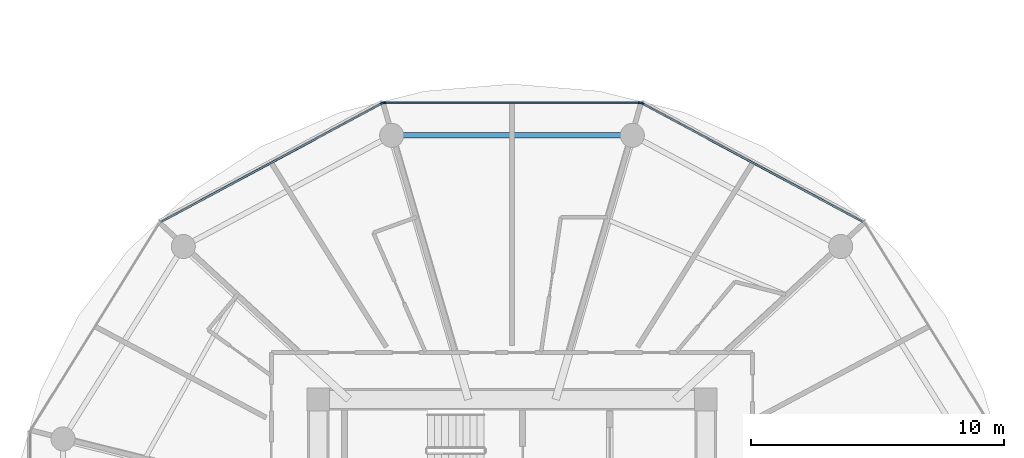
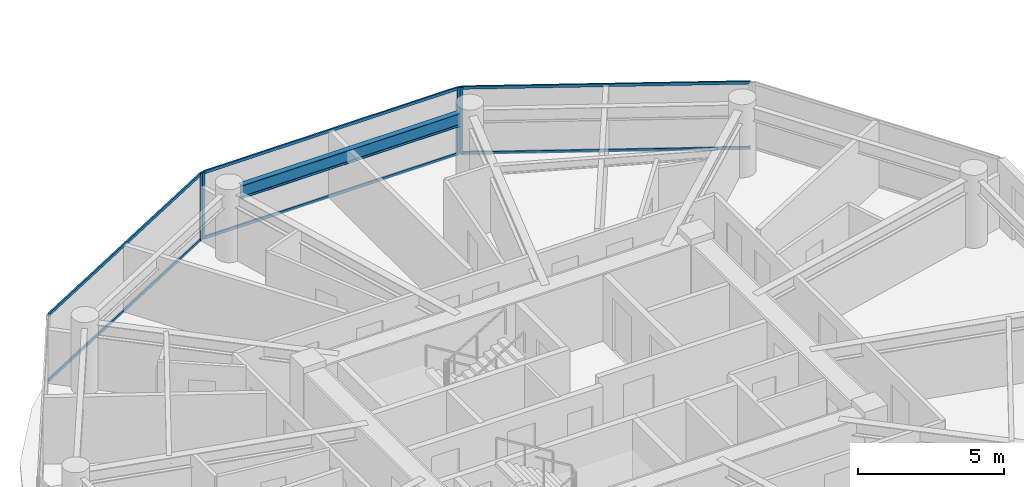
# One storey, part 9 of 27: 10 members, 1 beam, 3 elements without a shape of their own.
"""IFC4 building model written with IfcOpenShell, lengths in metres."""

import ifcopenshell
import ifcopenshell.guid

model = None  # the IFC model being written
_history = None  # IfcOwnerHistory: only IFC2X3 demands one
_inside = {}  # id of a spatial element -> (the spatial element, [elements in it])
_under = {}  # id of a project, library or spatial element -> (it, [spatial elements below it])
_declared = {}  # id of a project -> (the project, [libraries it declares])
_typed = {}  # id of a type object -> (the type object, [elements of that type])
_made_of = {}  # id of a material, layer set ... -> (it, [elements and type objects made of it])


def new_model(schema):
    """Start an empty IFC model of exactly this schema.

    Asked for "IFC4X3", IfcOpenShell would pick the latest addendum, in which some entities
    have other attributes; the version numbers below select the first issue.
    IFC2X3 requires an IfcOwnerHistory on every rooted entity: one is made here for all.
    """
    global model, _history
    if schema == "IFC4X3":
        model = ifcopenshell.file(schema_version=(4, 3, 0, 0))
    else:
        model = ifcopenshell.file(schema=schema)
    _inside.clear()
    _under.clear()
    _declared.clear()
    _typed.clear()
    _made_of.clear()
    _history = None
    if model.schema == "IFC2X3":
        org = make("IfcOrganization", Name="unknown")
        user = make(
            "IfcPersonAndOrganization",
            ThePerson=make("IfcPerson", FamilyName="unknown"),
            TheOrganization=org,
        )
        app = make(
            "IfcApplication",
            ApplicationDeveloper=org,
            Version="unknown",
            ApplicationFullName="unknown",
            ApplicationIdentifier="unknown",
        )
        _history = make(
            "IfcOwnerHistory",
            OwningUser=user,
            OwningApplication=app,
            ChangeAction="ADDED",
            CreationDate=0,
        )
    return model


def make(cls, **values):
    """One entity of the class cls with the attributes given. An attribute that is None is left unset."""
    return model.create_entity(
        cls, **{name: value for name, value in values.items() if value is not None}
    )


def rooted(cls, **values):
    """An entity with a GlobalId (a new one), such as an element, a storey or a relation."""
    return make(cls, GlobalId=ifcopenshell.guid.new(), OwnerHistory=_history, **values)


def si_unit(unit_type, name, prefix=None):
    """IfcSIUnit, for example si_unit("LENGTHUNIT", "METRE", prefix="MILLI")."""
    return make("IfcSIUnit", UnitType=unit_type, Prefix=prefix, Name=name)


def assignment(units):
    """IfcUnitAssignment: the units of a project."""
    return None if units is None else make("IfcUnitAssignment", Units=units)


def point(xyz):
    """IfcCartesianPoint."""
    return None if xyz is None else make("IfcCartesianPoint", Coordinates=xyz)


def direction(xyz):
    """IfcDirection."""
    return None if xyz is None else make("IfcDirection", DirectionRatios=xyz)


def frame(location, z_axis=None, x_axis=None):
    """IfcAxis2Placement3D, a coordinate frame: its origin and axes. An axis left out is left unset."""
    return make(
        "IfcAxis2Placement3D",
        Location=point(location),
        Axis=direction(z_axis),
        RefDirection=direction(x_axis),
    )


def frame_2d(location, x_axis=None):
    """IfcAxis2Placement2D, a coordinate frame in the plane: its origin and x axis."""
    return make(
        "IfcAxis2Placement2D", Location=point(location), RefDirection=direction(x_axis)
    )


def origin():
    """The frame at (0, 0, 0) with its axes left unset."""
    return frame((0.0, 0.0, 0.0))


def origin_2d():
    """The frame at (0, 0) in the plane with its x axis left unset."""
    return frame_2d((0.0, 0.0))


def place(relative_to, where):
    """IfcLocalPlacement: puts the frame where relative to a parent placement (None: the world)."""
    return make(
        "IfcLocalPlacement", PlacementRelTo=relative_to, RelativePlacement=where
    )


def context(
    kind, dimensions, precision=None, world=None, true_north=None, identifier=None
):
    """IfcGeometricRepresentationContext, for example the 3D "Model" context."""
    return make(
        "IfcGeometricRepresentationContext",
        ContextIdentifier=identifier,
        ContextType=kind,
        CoordinateSpaceDimension=dimensions,
        Precision=precision,
        WorldCoordinateSystem=world,
        TrueNorth=true_north,
    )


def subcontext(parent, identifier, kind, view, scale=None):
    """IfcGeometricRepresentationSubContext, for example "Body" below "Model"."""
    return make(
        "IfcGeometricRepresentationSubContext",
        ContextIdentifier=identifier,
        ContextType=kind,
        ParentContext=parent,
        TargetScale=scale,
        TargetView=view,
    )


def project(units=None, contexts=None):
    """IfcProject with its units and contexts."""
    return rooted(
        "IfcProject",
        Name="project",
        RepresentationContexts=contexts,
        UnitsInContext=assignment(units),
    )


def spatial(cls, under=None, at=None, **own):
    """A site, building, storey or space (cls), placed at a placement, below another one or the project."""
    s = rooted(cls, ObjectPlacement=at, **own)
    if under is not None:
        _under.setdefault(under.id(), (under, []))[1].append(s)
    return s


def profile(cls, at=None, kind="AREA", **sizes):
    """A parametric profile (cls). Its sizes go by their IFC names, for example OverallWidth=200.0."""
    return make(cls, ProfileType=kind, Position=at, **sizes)


def rectangle(**sizes):
    """IfcRectangleProfileDef."""
    return profile("IfcRectangleProfileDef", **sizes)


def i_section(**sizes):
    """IfcIShapeProfileDef."""
    return profile("IfcIShapeProfileDef", **sizes)


def extrude(swept, where, along, depth):
    """IfcExtrudedAreaSolid: the profile swept, set in the frame where, extruded along a direction by depth."""
    return make(
        "IfcExtrudedAreaSolid",
        SweptArea=swept,
        Position=where,
        ExtrudedDirection=direction(along),
        Depth=depth,
    )


def shape(context_of_items, identifier, shape_type, items):
    """IfcShapeRepresentation: the items that make up one representation, for example the "Body"."""
    return make(
        "IfcShapeRepresentation",
        ContextOfItems=context_of_items,
        RepresentationIdentifier=identifier,
        RepresentationType=shape_type,
        Items=items,
    )


def source(mapping_origin, context_of_items, identifier, shape_type, items):
    """IfcRepresentationMap: a shape defined once, which mapped items show again and again."""
    return make(
        "IfcRepresentationMap",
        MappingOrigin=mapping_origin,
        MappedRepresentation=shape(context_of_items, identifier, shape_type, items),
    )


def transform(
    local_origin,
    x_axis=None,
    y_axis=None,
    z_axis=None,
    scale=None,
    scale2=None,
    scale3=None,
    uniform=True,
):
    """IfcCartesianTransformationOperator3D, or its non-uniform kind. x_axis, y_axis, z_axis: its Axis1, 2, 3."""
    if uniform:
        return make(
            "IfcCartesianTransformationOperator3D",
            Axis1=direction(x_axis),
            Axis2=direction(y_axis),
            LocalOrigin=point(local_origin),
            Scale=scale,
            Axis3=direction(z_axis),
        )
    return make(
        "IfcCartesianTransformationOperator3DnonUniform",
        Axis1=direction(x_axis),
        Axis2=direction(y_axis),
        LocalOrigin=point(local_origin),
        Scale=scale,
        Axis3=direction(z_axis),
        Scale2=scale2,
        Scale3=scale3,
    )


def mapped(mapping_source, mapping_target):
    """IfcMappedItem: shows the shape of a source again, moved by a transform."""
    return make(
        "IfcMappedItem", MappingSource=mapping_source, MappingTarget=mapping_target
    )


def material(Name=None, Category=None):
    """IfcMaterial."""
    return make("IfcMaterial", Name=Name, Category=Category)


def layer(
    of_material, thickness, ventilated=None, Name=None, Category=None, Priority=None
):
    """IfcMaterialLayer: one layer of a wall or slab, of a material (None: an air gap)."""
    return make(
        "IfcMaterialLayer",
        Material=of_material,
        LayerThickness=thickness,
        IsVentilated=ventilated,
        Name=Name,
        Category=Category,
        Priority=Priority,
    )


def layer_set(layers, Name=None):
    """IfcMaterialLayerSet."""
    return make("IfcMaterialLayerSet", MaterialLayers=layers, LayerSetName=Name)


def material_profile(
    of_material, cross_section, Name=None, Category=None, Priority=None
):
    """IfcMaterialProfile: a cross section and its material."""
    return make(
        "IfcMaterialProfile",
        Name=Name,
        Material=of_material,
        Profile=cross_section,
        Priority=Priority,
        Category=Category,
    )


def profile_set(profiles, Name=None, composite=None):
    """IfcMaterialProfileSet."""
    return make(
        "IfcMaterialProfileSet",
        Name=Name,
        MaterialProfiles=profiles,
        CompositeProfile=composite,
    )


def made_of(thing, what):
    """Note that an element or type object is made of a material, layer set ...; save() writes the relation."""
    if what is not None:
        _made_of.setdefault(what.id(), (what, []))[1].append(thing)
    return thing


def type_object(cls, material=None, **own):
    """A type object (cls), such as IfcWallType, which elements share."""
    return made_of(rooted(cls, **own), material)


def type_shapes(of_type, sources):
    """Give a type object the sources (RepresentationMaps) that its elements show as mapped items."""
    of_type.RepresentationMaps = sources


def element(
    cls,
    number,
    at=None,
    inside=None,
    cuts=None,
    type_object=None,
    material=None,
    context=None,
    identifier="Body",
    shape_type=None,
    held_by="IfcProductDefinitionShape",
    body=None,
    shapes=None,
    **own,
):
    """One element of the class cls, such as IfcWall. Its Tag is "e" and its number.

    at: its placement. inside: the storey or other place that contains it. cuts: it is an
    opening in that element (IfcRelVoidsElement). A single representation is given by context,
    identifier, shape_type and body (its items); several are given by shapes. held_by: the class
    of the entity that holds the representations. save() writes the other relations.
    """
    e = rooted(cls, Tag="e%d" % number, ObjectPlacement=at, **own)
    if body is not None:
        shapes = [shape(context, identifier, shape_type, body)]
    if shapes is not None:
        e.Representation = make(held_by, Representations=shapes)
    if inside is not None:
        _inside.setdefault(inside.id(), (inside, []))[1].append(e)
    if cuts is not None:
        rooted(
            "IfcRelVoidsElement", RelatingBuildingElement=cuts, RelatedOpeningElement=e
        )
    if type_object is not None:
        _typed.setdefault(type_object.id(), (type_object, []))[1].append(e)
    return made_of(e, material)


def aggregate(whole, parts):
    """IfcRelAggregates: a whole, such as a stair, and the parts it consists of."""
    return rooted("IfcRelAggregates", RelatingObject=whole, RelatedObjects=parts)


def save(model, path):
    """Write the relations noted so far, then the file.

    IfcRelAggregates (storeys below a building ...), IfcRelContainedInSpatialStructure (elements
    in a storey), IfcRelDefinesByType, IfcRelAssociatesMaterial and IfcRelDeclares: one each for
    every whole, place, type object, material and project.
    """
    for whole, parts in _under.values():
        aggregate(whole, parts)
    for where, things in _inside.values():
        rooted(
            "IfcRelContainedInSpatialStructure",
            RelatedElements=things,
            RelatingStructure=where,
        )
    for kind, things in _typed.values():
        rooted("IfcRelDefinesByType", RelatedObjects=things, RelatingType=kind)
    for what, things in _made_of.values():
        rooted("IfcRelAssociatesMaterial", RelatedObjects=things, RelatingMaterial=what)
    for by, libraries in _declared.values():
        rooted("IfcRelDeclares", RelatingContext=by, RelatedDefinitions=libraries)
    model.write(path)


model = new_model("IFC4")

# Units and contexts
model_context = context("Model", 3, precision=1e-05, world=origin(), true_north=direction((0.0, 1.0)))
body_context = subcontext(model_context, "Body", "Model", "MODEL_VIEW")
ifc_project = project(units=[si_unit("LENGTHUNIT", "METRE"), si_unit("AREAUNIT", "SQUARE_METRE"), si_unit("VOLUMEUNIT", "CUBIC_METRE"), si_unit("PLANEANGLEUNIT", "RADIAN"), si_unit("MASSUNIT", "GRAM", prefix="KILO")], contexts=[model_context])

# Site, building, storey
site_placement = place(None, origin())
site = spatial("IfcSite", under=ifc_project, at=site_placement, CompositionType="ELEMENT")
building_placement = place(site_placement, origin())
building = spatial("IfcBuilding", under=site, at=building_placement, Name="Norrkilde Senior Care Towers", CompositionType="ELEMENT")
storey_placement = place(building_placement, frame((0.0, 0.0, 58.199951171875)))
storey = spatial("IfcBuildingStorey", under=building, at=storey_placement, Name="L17", CompositionType="ELEMENT", Elevation=58.199951171875)

# Beam
ifc_material_1 = material(Name="Steel S355", Category="steel")
ifc_material_profile_1 = material_profile(ifc_material_1, i_section(OverallWidth=0.2099609375, OverallDepth=0.550048828125, WebThickness=0.010986328125, FlangeThickness=0.01708984375, FilletRadius=0.02392578125, at=origin_2d()), Name="IPE 550")
ifc_profile_set_1 = profile_set([ifc_material_profile_1], Name="Steel S355")
beam_type = type_object("IfcBeamType", Name="Perimeter Ring Spandrel Z1 IPE550", PredefinedType="SPANDREL", material=ifc_profile_set_1)
shared_shape_1 = source(origin(), body_context, "Body", "SweptSolid", [
    extrude(i_section(OverallWidth=0.2099609375, OverallDepth=0.550048828125, WebThickness=0.010986328125, FlangeThickness=0.01708984375, FilletRadius=0.02392578125, at=origin_2d()), origin(), (0.0, 0.0, 1.0), 8.62841796875),
])
type_shapes(beam_type, [shared_shape_1])
beam_placement = place(storey_placement, frame((-23.685791015625, 16.37255859375, 2.51513671875), z_axis=(-1.0, 0.0, 0.0), x_axis=(0.0, -1.0, 0.0)))
element("IfcBeam", 1, at=beam_placement, inside=storey, type_object=beam_type, Name="L17 Drum W Perimeter Spandrel 03", PredefinedType="SPANDREL", context=body_context, shape_type="MappedRepresentation", body=[
    mapped(shared_shape_1, transform((0.0, 0.0, 0.0), x_axis=(1.0, 0.0, 0.0), y_axis=(0.0, 1.0, 0.0), z_axis=(0.0, 0.0, 1.0), scale=1.0)),
])

# Curtain wall, member
ifc_material_2 = material(Name="Triple Low-E Insulated Glazing", Category="glass")
ifc_layer = layer(ifc_material_2, 0.199951171875)
ifc_layer_set = layer_set([ifc_layer], Name="Triple Low-E Insulated Glazing")
curtain_wall_type = type_object("IfcCurtainWallType", Name="CW2 Zone 1 Memory Care Curtain Wall", PredefinedType="NOTDEFINED", material=ifc_layer_set)
curtain_wall_1_placement = place(storey_placement, origin())
curtain_wall_1 = element("IfcCurtainWall", 2, at=curtain_wall_1_placement, inside=storey, type_object=curtain_wall_type, Name="L17 Drum W Curtain Wall 01", PredefinedType="NOTDEFINED")
ifc_material_3 = material(Name="Anodised Aluminium", Category="aluminium")
ifc_material_profile_2 = material_profile(ifc_material_3, rectangle(XDim=0.06494140625, YDim=0.159912109375, at=origin_2d()), Name="ALU MULL 65x160")
ifc_profile_set_2 = profile_set([ifc_material_profile_2], Name="Anodised Aluminium")
member_type_1 = type_object("IfcMemberType", Name="Curtain Wall Mullion Z1-Z2 65x160", PredefinedType="MULLION", material=ifc_profile_set_2)
shared_shape_2 = source(origin(), body_context, "Body", "SweptSolid", [
    extrude(rectangle(XDim=0.06494140625, YDim=0.159912109375, at=origin_2d()), origin(), (0.0, 0.0, 1.0), 2.7900390625),
])
type_shapes(member_type_1, [shared_shape_2])
member_1_placement = place(storey_placement, frame((-22.877685546875, 17.641845703125, 0.0), z_axis=(0.0, 0.0, 1.0), x_axis=(0.472607802456, 0.881272866403, 0.0)))
member_1 = element("IfcMember", 3, at=member_1_placement, type_object=member_type_1, Name="CW-2 mullion 1", PredefinedType="MULLION", context=body_context, shape_type="MappedRepresentation", body=[
    mapped(shared_shape_2, transform((0.0, 0.0, 0.0), x_axis=(1.0, 0.0, 0.0), y_axis=(0.0, 1.0, 0.0), z_axis=(0.0, 0.0, 1.0), scale=1.0)),
])

# Curtain wall, members
curtain_wall_2_placement = place(storey_placement, origin())
curtain_wall_2 = element("IfcCurtainWall", 4, at=curtain_wall_2_placement, inside=storey, type_object=curtain_wall_type, Name="L17 Drum W Curtain Wall 02", PredefinedType="NOTDEFINED")
member_2_placement = place(storey_placement, frame((-33.06103515625, 17.6572265625, 0.0), z_axis=(0.0, 0.0, 1.0), x_axis=(0.0, 1.0, 0.0)))
member_2 = element("IfcMember", 5, at=member_2_placement, type_object=member_type_1, Name="CW-2 mullion 1", PredefinedType="MULLION", context=body_context, shape_type="MappedRepresentation", body=[
    mapped(shared_shape_2, transform((0.0, 0.0, 0.0), x_axis=(1.0, 0.0, 0.0), y_axis=(0.0, 1.0, 0.0), z_axis=(0.0, 0.0, 1.0), scale=1.0)),
])
member_3_placement = place(storey_placement, frame((-22.93896484375, 17.6572265625, 0.0), z_axis=(0.0, 0.0, 1.0), x_axis=(0.0, 1.0, 0.0)))
member_3 = element("IfcMember", 6, at=member_3_placement, type_object=member_type_1, Name="CW-2 mullion 2", PredefinedType="MULLION", context=body_context, shape_type="MappedRepresentation", body=[
    mapped(shared_shape_2, transform((0.0, 0.0, 0.0), x_axis=(1.0, 0.0, 0.0), y_axis=(0.0, 1.0, 0.0), z_axis=(0.0, 0.0, 1.0), scale=1.0)),
])

# Curtain wall, member
curtain_wall_3_placement = place(storey_placement, origin())
curtain_wall_3 = element("IfcCurtainWall", 7, at=curtain_wall_3_placement, inside=storey, type_object=curtain_wall_type, Name="L17 Drum W Curtain Wall 03", PredefinedType="NOTDEFINED")
member_4_placement = place(storey_placement, frame((-33.122314453125, 17.641845703125, 0.0), z_axis=(0.0, 0.0, 1.0), x_axis=(-0.472607802456, 0.881272866403, 0.0)))
member_4 = element("IfcMember", 8, at=member_4_placement, type_object=member_type_1, Name="CW-2 mullion 2", PredefinedType="MULLION", context=body_context, shape_type="MappedRepresentation", body=[
    mapped(shared_shape_2, transform((0.0, 0.0, 0.0), x_axis=(1.0, 0.0, 0.0), y_axis=(0.0, 1.0, 0.0), z_axis=(0.0, 0.0, 1.0), scale=1.0)),
])

# Member
ifc_material_profile_3 = material_profile(ifc_material_3, rectangle(XDim=0.06005859375, YDim=0.1201171875, at=origin_2d()), Name="ALU TRAN 60x120")
ifc_profile_set_3 = profile_set([ifc_material_profile_3], Name="Anodised Aluminium")
member_type_2 = type_object("IfcMemberType", Name="Curtain Wall Transom Typical 60x120", PredefinedType="USERDEFINED", material=ifc_profile_set_3)
shared_shape_3 = source(origin(), body_context, "Body", "SweptSolid", [
    extrude(rectangle(XDim=0.06005859375, YDim=0.1201171875, at=origin_2d()), origin(), (0.0, 0.0, 1.0), 9.880859375),
])
member_5_placement = place(storey_placement, frame((-22.84912109375, 17.62646484375, 0.030029296875), z_axis=(0.881267204043, -0.47261836092, 0.0), x_axis=(0.47261836092, 0.881267204043, 0.0)))
member_5 = element("IfcMember", 9, at=member_5_placement, type_object=member_type_2, Name="CW-2 transom 1.1", ObjectType="TRANSOM", PredefinedType="USERDEFINED", context=body_context, shape_type="MappedRepresentation", body=[
    mapped(shared_shape_3, transform((0.0, 0.0, 0.0), x_axis=(1.0, 0.0, 0.0), y_axis=(0.0, 1.0, 0.0), z_axis=(0.0, 0.0, 1.0), scale=1.0)),
])

member_6_placement = place(storey_placement, frame((-22.84912109375, 17.62646484375, 2.760009765625), z_axis=(0.881267204043, -0.47261836092, 0.0), x_axis=(0.47261836092, 0.881267204043, 0.0)))
member_6 = element("IfcMember", 10, at=member_6_placement, type_object=member_type_2, Name="CW-2 transom 1.2", ObjectType="TRANSOM", PredefinedType="USERDEFINED", context=body_context, shape_type="MappedRepresentation", body=[
    mapped(shared_shape_3, transform((0.0, 0.0, 0.0), x_axis=(1.0, 0.0, 0.0), y_axis=(0.0, 1.0, 0.0), z_axis=(0.0, 0.0, 1.0), scale=1.0)),
])

aggregate(curtain_wall_1, [member_1, member_5, member_6])

member_7_placement = place(storey_placement, frame((-41.858642578125, 12.95654296875, 0.030029296875), z_axis=(0.881267204043, 0.47261836092, 0.0), x_axis=(-0.47261836092, 0.881267204043, 0.0)))
member_7 = element("IfcMember", 11, at=member_7_placement, type_object=member_type_2, Name="CW-2 transom 1.1", ObjectType="TRANSOM", PredefinedType="USERDEFINED", context=body_context, shape_type="MappedRepresentation", body=[
    mapped(shared_shape_3, transform((0.0, 0.0, 0.0), x_axis=(1.0, 0.0, 0.0), y_axis=(0.0, 1.0, 0.0), z_axis=(0.0, 0.0, 1.0), scale=1.0)),
])

member_8_placement = place(storey_placement, frame((-41.858642578125, 12.95654296875, 2.760009765625), z_axis=(0.881267204043, 0.47261836092, 0.0), x_axis=(-0.47261836092, 0.881267204043, 0.0)))
member_8 = element("IfcMember", 12, at=member_8_placement, type_object=member_type_2, Name="CW-2 transom 1.2", ObjectType="TRANSOM", PredefinedType="USERDEFINED", context=body_context, shape_type="MappedRepresentation", body=[
    mapped(shared_shape_3, transform((0.0, 0.0, 0.0), x_axis=(1.0, 0.0, 0.0), y_axis=(0.0, 1.0, 0.0), z_axis=(0.0, 0.0, 1.0), scale=1.0)),
])

aggregate(curtain_wall_3, [member_4, member_7, member_8])

shared_shape_4 = source(origin(), body_context, "Body", "SweptSolid", [
    extrude(rectangle(XDim=0.06005859375, YDim=0.1201171875, at=origin_2d()), origin(), (0.0, 0.0, 1.0), 10.05712890625),
])
type_shapes(member_type_2, [shared_shape_3, shared_shape_4])
member_9_placement = place(storey_placement, frame((-33.028564453125, 17.6572265625, 0.030029296875), z_axis=(1.0, 0.0, 0.0), x_axis=(0.0, 1.0, 0.0)))
member_9 = element("IfcMember", 13, at=member_9_placement, type_object=member_type_2, Name="CW-2 transom 1.1", ObjectType="TRANSOM", PredefinedType="USERDEFINED", context=body_context, shape_type="MappedRepresentation", body=[
    mapped(shared_shape_4, transform((0.0, 0.0, 0.0), x_axis=(1.0, 0.0, 0.0), y_axis=(0.0, 1.0, 0.0), z_axis=(0.0, 0.0, 1.0), scale=1.0)),
])

member_10_placement = place(storey_placement, frame((-33.028564453125, 17.6572265625, 2.760009765625), z_axis=(1.0, 0.0, 0.0), x_axis=(0.0, 1.0, 0.0)))
member_10 = element("IfcMember", 14, at=member_10_placement, type_object=member_type_2, Name="CW-2 transom 1.2", ObjectType="TRANSOM", PredefinedType="USERDEFINED", context=body_context, shape_type="MappedRepresentation", body=[
    mapped(shared_shape_4, transform((0.0, 0.0, 0.0), x_axis=(1.0, 0.0, 0.0), y_axis=(0.0, 1.0, 0.0), z_axis=(0.0, 0.0, 1.0), scale=1.0)),
])

aggregate(curtain_wall_2, [member_2, member_3, member_9, member_10])

save(model, "model.ifc")
